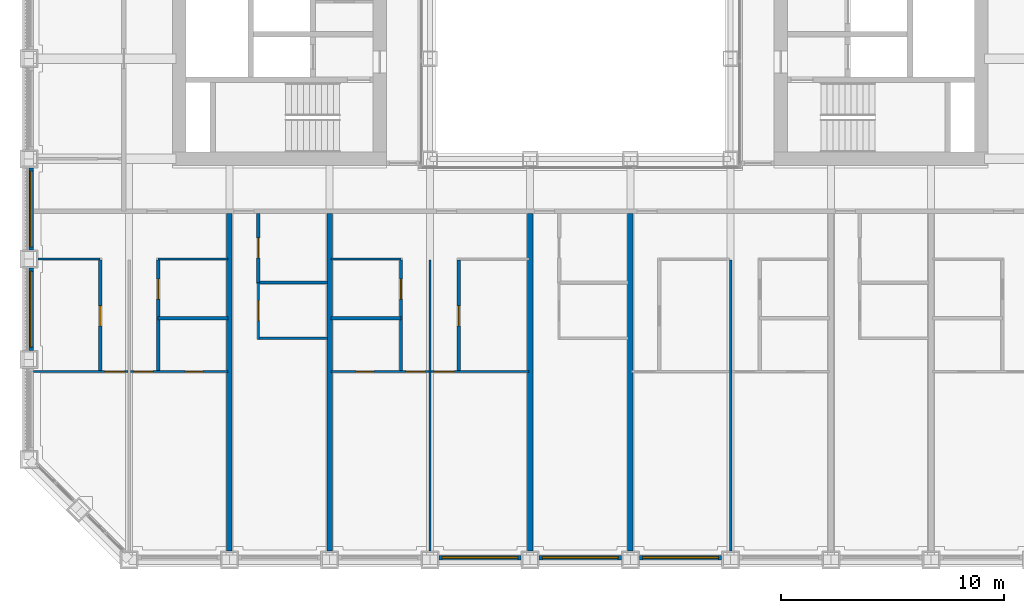
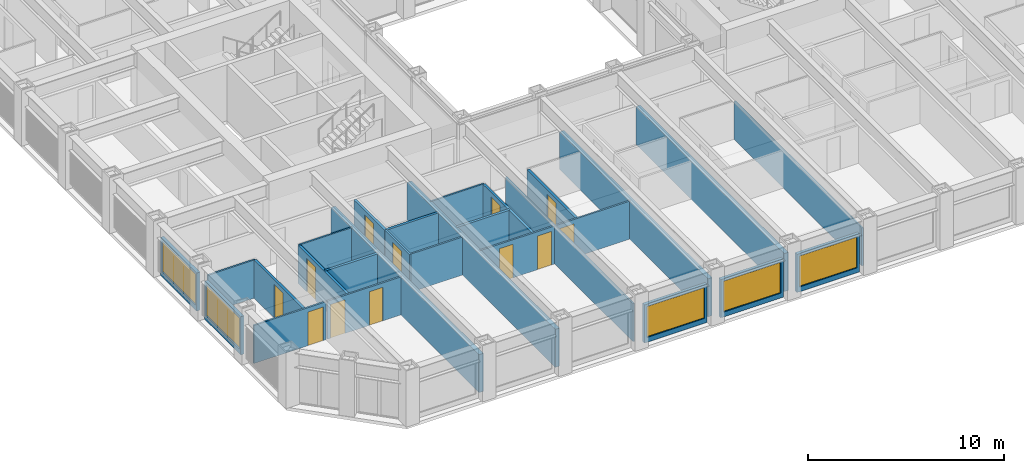
# One storey, part 9 of 21: 28 walls, 12 doors, 5 windows, 17 openings.
"""IFC4 building model written with IfcOpenShell, lengths in metres."""

from ifc_helpers import new_model, si_unit, direction, frame, frame_2d, origin, place, context, subcontext, project, spatial, rectangle, extrude, material, layer, layer_set, type_object, element, fill, save


model = new_model("IFC4")

# Units and contexts
model_context = context("Model", 3, precision=1e-05, world=origin(), true_north=direction((0.0, 1.0)))
body_context = subcontext(model_context, "Body", "Model", "MODEL_VIEW")
ifc_project = project(units=[si_unit("LENGTHUNIT", "METRE"), si_unit("AREAUNIT", "SQUARE_METRE"), si_unit("VOLUMEUNIT", "CUBIC_METRE"), si_unit("PLANEANGLEUNIT", "RADIAN"), si_unit("MASSUNIT", "GRAM", prefix="KILO")], contexts=[model_context])

# Site, building, storey
site_placement = place(None, origin())
site = spatial("IfcSite", under=ifc_project, at=site_placement, CompositionType="ELEMENT")
building_placement = place(site_placement, origin())
building = spatial("IfcBuilding", under=site, at=building_placement, Name="Msasa Ring Tower", CompositionType="ELEMENT")
storey_placement = place(building_placement, frame((0.0, 0.0, 44.0)))
storey = spatial("IfcBuildingStorey", under=building, at=storey_placement, Name="L10", CompositionType="ELEMENT", Elevation=44.0)

# Wall, opening, window
ifc_material_1 = material(Name="Terracotta rainscreen on blockwork", Category="masonry")
ifc_layer_1 = layer(ifc_material_1, 0.199951171875)
ifc_layer_set_1 = layer_set([ifc_layer_1], Name="FW1 TERRACOTTA-LINED INFILL BAY WALL 200")
wall_type_1 = type_object("IfcWallType", Name="FW1 TERRACOTTA-LINED INFILL BAY WALL 200", PredefinedType="SOLIDWALL", material=ifc_layer_set_1)
wall_1_placement = place(storey_placement, frame((-6.344970703125, -24.64990234375, 0.0), z_axis=(0.0, 0.0, 1.0), x_axis=(1.0, 0.0, 0.0)))
wall_1 = element("IfcWall", 1, at=wall_1_placement, inside=storey, type_object=wall_type_1, Name="Infill bay wall S L10 03", PredefinedType="SOLIDWALL", context=body_context, shape_type="SweptSolid", body=[
    extrude(rectangle(XDim=3.68994140625, YDim=0.199951171875, at=frame_2d((1.844970703125, 0.0))), origin(), (0.0, 0.0, 1.0), 2.37890625),
])
opening_1_placement = place(wall_1_placement, frame((0.14501953125, 0.0, 0.300048828125)))
opening_1 = element("IfcOpeningElement", 2, at=opening_1_placement, cuts=wall_1, Name="Opening WN1", PredefinedType="OPENING", context=body_context, shape_type="SweptSolid", body=[
    extrude(rectangle(XDim=3.39990234375, YDim=1.928955078125, at=frame_2d((1.699951171875, 0.96435546875))), frame((0.0, 0.10986328125, 0.0), z_axis=(0.0, -1.0, 0.0), x_axis=(1.0, 0.0, 0.0)), (0.0, 0.0, 1.0), 0.219970703125),
])
ifc_material_2 = material(Name="Aluminium frame with clear glass", Category="aluminium")
window_type = type_object("IfcWindowType", Name="WN1 RESIDENCE WINDOW 3400x1929", PartitioningType="SINGLE_PANEL", PredefinedType="WINDOW", material=ifc_material_2)
window_1_placement = place(opening_1_placement, origin())
window_1 = element("IfcWindow", 3, at=window_1_placement, inside=storey, type_object=window_type, Name="Window S L10 03", OverallHeight=1.928955078125, OverallWidth=3.39990234375, PartitioningType="SINGLE_PANEL", PredefinedType="WINDOW", context=body_context, shape_type="SweptSolid", body=[
    extrude(rectangle(XDim=3.39990234375, YDim=1.928955078125, at=frame_2d((1.699951171875, 0.96435546875))), frame((0.0, 0.030029296875, 0.0), z_axis=(0.0, -1.0, 0.0), x_axis=(1.0, 0.0, 0.0)), (0.0, 0.0, 1.0), 0.06005859375),
])
fill(opening_1, window_1)

wall_2_placement = place(storey_placement, frame((-1.844970703125, -24.64990234375, 0.0), z_axis=(0.0, 0.0, 1.0), x_axis=(1.0, 0.0, 0.0)))
wall_2 = element("IfcWall", 4, at=wall_2_placement, inside=storey, type_object=wall_type_1, Name="Infill bay wall S L10 04", PredefinedType="SOLIDWALL", context=body_context, shape_type="SweptSolid", body=[
    extrude(rectangle(XDim=3.68994140625, YDim=0.199951171875, at=frame_2d((1.844970703125, 0.0))), origin(), (0.0, 0.0, 1.0), 2.37890625),
])
opening_2_placement = place(wall_2_placement, frame((0.14501953125, 0.0, 0.300048828125)))
opening_2 = element("IfcOpeningElement", 5, at=opening_2_placement, cuts=wall_2, Name="Opening WN1", PredefinedType="OPENING", context=body_context, shape_type="SweptSolid", body=[
    extrude(rectangle(XDim=3.39990234375, YDim=1.928955078125, at=frame_2d((1.699951171875, 0.96435546875))), frame((0.0, 0.10986328125, 0.0), z_axis=(0.0, -1.0, 0.0), x_axis=(1.0, 0.0, 0.0)), (0.0, 0.0, 1.0), 0.219970703125),
])
window_2_placement = place(opening_2_placement, origin())
window_2 = element("IfcWindow", 6, at=window_2_placement, inside=storey, type_object=window_type, Name="Window S L10 04", OverallHeight=1.928955078125, OverallWidth=3.39990234375, PartitioningType="SINGLE_PANEL", PredefinedType="WINDOW", context=body_context, shape_type="SweptSolid", body=[
    extrude(rectangle(XDim=3.39990234375, YDim=1.928955078125, at=frame_2d((1.699951171875, 0.96435546875))), frame((0.0, 0.030029296875, 0.0), z_axis=(0.0, -1.0, 0.0), x_axis=(1.0, 0.0, 0.0)), (0.0, 0.0, 1.0), 0.06005859375),
])
fill(opening_2, window_2)

wall_3_placement = place(storey_placement, frame((2.655029296875, -24.64990234375, 0.0), z_axis=(0.0, 0.0, 1.0), x_axis=(1.0, 0.0, 0.0)))
wall_3 = element("IfcWall", 7, at=wall_3_placement, inside=storey, type_object=wall_type_1, Name="Infill bay wall S L10 05", PredefinedType="SOLIDWALL", context=body_context, shape_type="SweptSolid", body=[
    extrude(rectangle(XDim=3.68994140625, YDim=0.199951171875, at=frame_2d((1.844970703125, 0.0))), origin(), (0.0, 0.0, 1.0), 2.37890625),
])
opening_3_placement = place(wall_3_placement, frame((0.14501953125, 0.0, 0.300048828125)))
opening_3 = element("IfcOpeningElement", 8, at=opening_3_placement, cuts=wall_3, Name="Opening WN1", PredefinedType="OPENING", context=body_context, shape_type="SweptSolid", body=[
    extrude(rectangle(XDim=3.39990234375, YDim=1.928955078125, at=frame_2d((1.699951171875, 0.96435546875))), frame((0.0, 0.10986328125, 0.0), z_axis=(0.0, -1.0, 0.0), x_axis=(1.0, 0.0, 0.0)), (0.0, 0.0, 1.0), 0.219970703125),
])
window_3_placement = place(opening_3_placement, origin())
window_3 = element("IfcWindow", 9, at=window_3_placement, inside=storey, type_object=window_type, Name="Window S L10 05", OverallHeight=1.928955078125, OverallWidth=3.39990234375, PartitioningType="SINGLE_PANEL", PredefinedType="WINDOW", context=body_context, shape_type="SweptSolid", body=[
    extrude(rectangle(XDim=3.39990234375, YDim=1.928955078125, at=frame_2d((1.699951171875, 0.96435546875))), frame((0.0, 0.030029296875, 0.0), z_axis=(0.0, -1.0, 0.0), x_axis=(1.0, 0.0, 0.0)), (0.0, 0.0, 1.0), 0.06005859375),
])
fill(opening_3, window_3)

wall_4_placement = place(storey_placement, frame((-24.64990234375, -15.344970703125, 0.0), z_axis=(0.0, 0.0, 1.0), x_axis=(0.0, 1.0, 0.0)))
wall_4 = element("IfcWall", 10, at=wall_4_placement, inside=storey, type_object=wall_type_1, Name="Infill bay wall W L10 34", PredefinedType="SOLIDWALL", context=body_context, shape_type="SweptSolid", body=[
    extrude(rectangle(XDim=3.68994140625, YDim=0.199951171875, at=frame_2d((1.844970703125, 0.0))), origin(), (0.0, 0.0, 1.0), 2.37890625),
])
opening_4_placement = place(wall_4_placement, frame((0.14501953125, 0.0, 0.300048828125)))
opening_4 = element("IfcOpeningElement", 11, at=opening_4_placement, cuts=wall_4, Name="Opening WN1", PredefinedType="OPENING", context=body_context, shape_type="SweptSolid", body=[
    extrude(rectangle(XDim=3.39990234375, YDim=1.928955078125, at=frame_2d((1.699951171875, 0.96435546875))), frame((0.0, 0.10986328125, 0.0), z_axis=(0.0, -1.0, 0.0), x_axis=(1.0, 0.0, 0.0)), (0.0, 0.0, 1.0), 0.219970703125),
])
window_4_placement = place(opening_4_placement, origin())
window_4 = element("IfcWindow", 12, at=window_4_placement, inside=storey, type_object=window_type, Name="Window W L10 34", OverallHeight=1.928955078125, OverallWidth=3.39990234375, PartitioningType="SINGLE_PANEL", PredefinedType="WINDOW", context=body_context, shape_type="SweptSolid", body=[
    extrude(rectangle(XDim=3.39990234375, YDim=1.928955078125, at=frame_2d((1.699951171875, 0.96435546875))), frame((0.0, 0.030029296875, 0.0), z_axis=(0.0, -1.0, 0.0), x_axis=(1.0, 0.0, 0.0)), (0.0, 0.0, 1.0), 0.06005859375),
])
fill(opening_4, window_4)

wall_5_placement = place(storey_placement, frame((-24.64990234375, -10.844970703125, 0.0), z_axis=(0.0, 0.0, 1.0), x_axis=(0.0, 1.0, 0.0)))
wall_5 = element("IfcWall", 13, at=wall_5_placement, inside=storey, type_object=wall_type_1, Name="Infill bay wall W L10 35", PredefinedType="SOLIDWALL", context=body_context, shape_type="SweptSolid", body=[
    extrude(rectangle(XDim=3.68994140625, YDim=0.199951171875, at=frame_2d((1.844970703125, 0.0))), origin(), (0.0, 0.0, 1.0), 2.37890625),
])
opening_5_placement = place(wall_5_placement, frame((0.14501953125, 0.0, 0.300048828125)))
opening_5 = element("IfcOpeningElement", 14, at=opening_5_placement, cuts=wall_5, Name="Opening WN1", PredefinedType="OPENING", context=body_context, shape_type="SweptSolid", body=[
    extrude(rectangle(XDim=3.39990234375, YDim=1.928955078125, at=frame_2d((1.699951171875, 0.96435546875))), frame((0.0, 0.10986328125, 0.0), z_axis=(0.0, -1.0, 0.0), x_axis=(1.0, 0.0, 0.0)), (0.0, 0.0, 1.0), 0.219970703125),
])
window_5_placement = place(opening_5_placement, origin())
window_5 = element("IfcWindow", 15, at=window_5_placement, inside=storey, type_object=window_type, Name="Window W L10 35", OverallHeight=1.928955078125, OverallWidth=3.39990234375, PartitioningType="SINGLE_PANEL", PredefinedType="WINDOW", context=body_context, shape_type="SweptSolid", body=[
    extrude(rectangle(XDim=3.39990234375, YDim=1.928955078125, at=frame_2d((1.699951171875, 0.96435546875))), frame((0.0, 0.030029296875, 0.0), z_axis=(0.0, -1.0, 0.0), x_axis=(1.0, 0.0, 0.0)), (0.0, 0.0, 1.0), 0.06005859375),
])
fill(opening_5, window_5)

# Wall
ifc_material_3 = material(Name="Gypsum board on steel studs", Category="steel")
ifc_layer_2 = layer(ifc_material_3, 0.10009765625)
ifc_layer_set_2 = layer_set([ifc_layer_2], Name="PT2 STUD PARTITION 100")
wall_type_2 = type_object("IfcWallType", Name="PT2 STUD PARTITION 100", PredefinedType="PARTITIONING", material=ifc_layer_set_2)
wall_6_placement = place(storey_placement, frame((-24.35009765625, -11.25, 0.0), z_axis=(0.0, 0.0, 1.0), x_axis=(1.0, 0.0, 0.0)))
element("IfcWall", 16, at=wall_6_placement, inside=storey, type_object=wall_type_2, Name="Partition L10-US00HY0", PredefinedType="PARTITIONING", context=body_context, shape_type="SweptSolid", body=[
    extrude(rectangle(XDim=2.800048828125, YDim=0.10009765625, at=frame_2d((1.39990234375, 0.0))), origin(), (0.0, 0.0, 1.0), 2.373291015625),
])

# Wall, opening, door
wall_7_placement = place(storey_placement, frame((-24.550048828125, -16.300048828125, 0.0), z_axis=(0.0, 0.0, 1.0), x_axis=(1.0, 0.0, 0.0)))
wall_7 = element("IfcWall", 17, at=wall_7_placement, inside=storey, type_object=wall_type_2, Name="Partition L10-US00SY0", PredefinedType="PARTITIONING", context=body_context, shape_type="SweptSolid", body=[
    extrude(rectangle(XDim=4.25, YDim=0.10009765625, at=frame_2d((2.125, 0.0))), origin(), (0.0, 0.0, 1.0), 2.373291015625),
])
opening_6_placement = place(wall_7_placement, frame((3.199951171875, 0.0, 0.0)))
opening_6 = element("IfcOpeningElement", 18, at=opening_6_placement, cuts=wall_7, Name="Opening RB-074", PredefinedType="OPENING", context=body_context, shape_type="SweptSolid", body=[
    extrude(rectangle(XDim=0.89990234375, YDim=2.10009765625, at=frame_2d((0.449951171875, 1.050048828125))), frame((0.0, 0.06005859375, 0.0), z_axis=(0.0, -1.0, 0.0), x_axis=(1.0, 0.0, 0.0)), (0.0, 0.0, 1.0), 0.1201171875),
])
ifc_material_4 = material(Name="Timber door leaf in a steel frame", Category="steel")
door_type_1 = type_object("IfcDoorType", Name="D22 INTERNAL HALL DOOR 900x2100", OperationType="SINGLE_SWING_LEFT", PredefinedType="DOOR", material=ifc_material_4)
door_1_placement = place(opening_6_placement, origin())
door_1 = element("IfcDoor", 19, at=door_1_placement, inside=storey, type_object=door_type_1, Name="Door L10-US00L", OperationType="SINGLE_SWING_RIGHT", OverallHeight=2.10009765625, OverallWidth=0.89990234375, PredefinedType="DOOR", context=body_context, shape_type="SweptSolid", body=[
    extrude(rectangle(XDim=0.89990234375, YDim=2.10009765625, at=frame_2d((0.449951171875, 1.050048828125))), frame((0.0, 0.02490234375, 0.0), z_axis=(0.0, -1.0, 0.0), x_axis=(1.0, 0.0, 0.0)), (0.0, 0.0, 1.0), 0.050048828125),
])
fill(opening_6, door_1)

# Wall
wall_8_placement = place(storey_placement, frame((-18.949951171875, -11.25, 0.0), z_axis=(0.0, 0.0, 1.0), x_axis=(1.0, 0.0, 0.0)))
element("IfcWall", 20, at=wall_8_placement, inside=storey, type_object=wall_type_2, Name="Partition L10-US00HY1", PredefinedType="PARTITIONING", context=body_context, shape_type="SweptSolid", body=[
    extrude(rectangle(XDim=3.139892578125, YDim=0.10009765625, at=frame_2d((1.56982421875, 0.0))), origin(), (0.0, 0.0, 1.0), 2.373291015625),
])

# Wall, openings, doors
wall_9_placement = place(storey_placement, frame((-20.199951171875, -16.300048828125, 0.0), z_axis=(0.0, 0.0, 1.0), x_axis=(1.0, 0.0, 0.0)))
wall_9 = element("IfcWall", 21, at=wall_9_placement, inside=storey, type_object=wall_type_2, Name="Partition L10-US00SY1", PredefinedType="PARTITIONING", context=body_context, shape_type="SweptSolid", body=[
    extrude(rectangle(XDim=4.389892578125, YDim=0.10009765625, at=frame_2d((2.19482421875, 0.0))), origin(), (0.0, 0.0, 1.0), 2.373291015625),
])
opening_7_placement = place(wall_9_placement, frame((0.175048828125, 0.0, 0.0)))
opening_7 = element("IfcOpeningElement", 22, at=opening_7_placement, cuts=wall_9, Name="Opening RB-075", PredefinedType="OPENING", context=body_context, shape_type="SweptSolid", body=[
    extrude(rectangle(XDim=0.85009765625, YDim=2.10009765625, at=frame_2d((0.425048828125, 1.050048828125))), frame((0.0, 0.06005859375, 0.0), z_axis=(0.0, -1.0, 0.0), x_axis=(1.0, 0.0, 0.0)), (0.0, 0.0, 1.0), 0.1201171875),
])
opening_8_placement = place(wall_9_placement, frame((2.4599609375, 0.0, 0.0)))
opening_8 = element("IfcOpeningElement", 23, at=opening_8_placement, cuts=wall_9, Name="Opening RB-076", PredefinedType="OPENING", context=body_context, shape_type="SweptSolid", body=[
    extrude(rectangle(XDim=0.800048828125, YDim=2.10009765625, at=frame_2d((0.39990234375, 1.050048828125))), frame((0.0, 0.06005859375, 0.0), z_axis=(0.0, -1.0, 0.0), x_axis=(1.0, 0.0, 0.0)), (0.0, 0.0, 1.0), 0.1201171875),
])
ifc_material_5 = material(Name="Timber door leaf in a steel frame", Category="steel")
door_type_2 = type_object("IfcDoorType", Name="D14 BEDROOM DOOR 850x2100", OperationType="SINGLE_SWING_LEFT", PredefinedType="DOOR", material=ifc_material_5)
door_2_placement = place(opening_7_placement, origin())
door_2 = element("IfcDoor", 24, at=door_2_placement, inside=storey, type_object=door_type_2, Name="Door L10-US00R1", OperationType="SINGLE_SWING_LEFT", OverallHeight=2.10009765625, OverallWidth=0.85009765625, PredefinedType="DOOR", context=body_context, shape_type="SweptSolid", body=[
    extrude(rectangle(XDim=0.85009765625, YDim=2.10009765625, at=frame_2d((0.425048828125, 1.050048828125))), frame((0.0, 0.02490234375, 0.0), z_axis=(0.0, -1.0, 0.0), x_axis=(1.0, 0.0, 0.0)), (0.0, 0.0, 1.0), 0.050048828125),
])
fill(opening_7, door_2)
ifc_material_6 = material(Name="Timber door leaf in a steel frame", Category="steel")
door_type_3 = type_object("IfcDoorType", Name="D60 DRESSING ROOM DOOR 800x2100", OperationType="SINGLE_SWING_LEFT", PredefinedType="DOOR", material=ifc_material_6)
door_3_placement = place(opening_8_placement, origin())
door_3 = element("IfcDoor", 25, at=door_3_placement, inside=storey, type_object=door_type_3, Name="Door L10-US00W1", OperationType="SINGLE_SWING_RIGHT", OverallHeight=2.10009765625, OverallWidth=0.800048828125, PredefinedType="DOOR", context=body_context, shape_type="SweptSolid", body=[
    extrude(rectangle(XDim=0.800048828125, YDim=2.10009765625, at=frame_2d((0.39990234375, 1.050048828125))), frame((0.0, 0.02490234375, 0.0), z_axis=(0.0, -1.0, 0.0), x_axis=(1.0, 0.0, 0.0)), (0.0, 0.0, 1.0), 0.050048828125),
])
fill(opening_8, door_3)

# Wall
wall_10_placement = place(storey_placement, frame((-14.39990234375, -14.800048828125, 0.0), z_axis=(0.0, 0.0, 1.0), x_axis=(1.0, 0.0, 0.0)))
element("IfcWall", 26, at=wall_10_placement, inside=storey, type_object=wall_type_2, Name="Partition L10-US01KY", PredefinedType="PARTITIONING", context=body_context, shape_type="SweptSolid", body=[
    extrude(rectangle(XDim=3.0498046875, YDim=0.10009765625, at=frame_2d((1.52490234375, 0.0))), origin(), (0.0, 0.0, 1.0), 2.373291015625),
])

# Wall, opening, door
wall_11_placement = place(storey_placement, frame((-14.449951171875, -14.85009765625, 0.0), z_axis=(0.0, 0.0, 1.0), x_axis=(0.0, 1.0, 0.0)))
wall_11 = element("IfcWall", 27, at=wall_11_placement, inside=storey, type_object=wall_type_2, Name="Partition L10-US01KX", PredefinedType="PARTITIONING", context=body_context, shape_type="SweptSolid", body=[
    extrude(rectangle(XDim=2.550048828125, YDim=0.10009765625, at=frame_2d((1.27490234375, 0.0))), origin(), (0.0, 0.0, 1.0), 2.373291015625),
])
opening_9_placement = place(wall_11_placement, frame((0.840087890625, 0.0, 0.0)))
opening_9 = element("IfcOpeningElement", 28, at=opening_9_placement, cuts=wall_11, Name="Opening RB-067", PredefinedType="OPENING", context=body_context, shape_type="SweptSolid", body=[
    extrude(rectangle(XDim=0.89990234375, YDim=2.10009765625, at=frame_2d((0.449951171875, 1.050048828125))), frame((0.0, 0.06005859375, 0.0), z_axis=(0.0, -1.0, 0.0), x_axis=(1.0, 0.0, 0.0)), (0.0, 0.0, 1.0), 0.1201171875),
])
door_4_placement = place(opening_9_placement, origin())
door_4 = element("IfcDoor", 29, at=door_4_placement, inside=storey, type_object=door_type_1, Name="Door L10-US01K", OperationType="SINGLE_SWING_LEFT", OverallHeight=2.10009765625, OverallWidth=0.89990234375, PredefinedType="DOOR", context=body_context, shape_type="SweptSolid", body=[
    extrude(rectangle(XDim=0.89990234375, YDim=2.10009765625, at=frame_2d((0.449951171875, 1.050048828125))), frame((0.0, 0.02490234375, 0.0), z_axis=(0.0, -1.0, 0.0), x_axis=(1.0, 0.0, 0.0)), (0.0, 0.0, 1.0), 0.050048828125),
])
fill(opening_9, door_4)

wall_12_placement = place(storey_placement, frame((-6.699951171875, -16.300048828125, 0.0), z_axis=(0.0, 0.0, 1.0), x_axis=(1.0, 0.0, 0.0)))
wall_12 = element("IfcWall", 30, at=wall_12_placement, inside=storey, type_object=wall_type_2, Name="Partition L10-US02SY0", PredefinedType="PARTITIONING", context=body_context, shape_type="SweptSolid", body=[
    extrude(rectangle(XDim=4.389892578125, YDim=0.10009765625, at=frame_2d((2.19482421875, 0.0))), origin(), (0.0, 0.0, 1.0), 2.373291015625),
])
opening_10_placement = place(wall_12_placement, frame((0.14990234375, 0.0, 0.0)))
opening_10 = element("IfcOpeningElement", 31, at=opening_10_placement, cuts=wall_12, Name="Opening RB-079", PredefinedType="OPENING", context=body_context, shape_type="SweptSolid", body=[
    extrude(rectangle(XDim=0.89990234375, YDim=2.10009765625, at=frame_2d((0.449951171875, 1.050048828125))), frame((0.0, 0.06005859375, 0.0), z_axis=(0.0, -1.0, 0.0), x_axis=(1.0, 0.0, 0.0)), (0.0, 0.0, 1.0), 0.1201171875),
])
door_5_placement = place(opening_10_placement, origin())
door_5 = element("IfcDoor", 32, at=door_5_placement, inside=storey, type_object=door_type_1, Name="Door L10-US02L", OperationType="SINGLE_SWING_LEFT", OverallHeight=2.10009765625, OverallWidth=0.89990234375, PredefinedType="DOOR", context=body_context, shape_type="SweptSolid", body=[
    extrude(rectangle(XDim=0.89990234375, YDim=2.10009765625, at=frame_2d((0.449951171875, 1.050048828125))), frame((0.0, 0.02490234375, 0.0), z_axis=(0.0, -1.0, 0.0), x_axis=(1.0, 0.0, 0.0)), (0.0, 0.0, 1.0), 0.050048828125),
])
fill(opening_10, door_5)

# Walls
wall_13_placement = place(storey_placement, frame((-6.75, -24.35009765625, 0.0), z_axis=(0.0, 0.0, 1.0), x_axis=(0.0, 1.0, 0.0)))
element("IfcWall", 33, at=wall_13_placement, inside=storey, type_object=wall_type_2, Name="Partition L10-US02P1", PredefinedType="PARTITIONING", context=body_context, shape_type="SweptSolid", body=[
    extrude(rectangle(XDim=13.050048828125, YDim=0.10009765625, at=frame_2d((6.52490234375, 0.0))), origin(), (0.0, 0.0, 1.0), 2.373291015625),
])
wall_14_placement = place(storey_placement, frame((-11.18994140625, -11.25, 0.0), z_axis=(0.0, 0.0, 1.0), x_axis=(1.0, 0.0, 0.0)))
element("IfcWall", 34, at=wall_14_placement, inside=storey, type_object=wall_type_2, Name="Partition L10-US02HY1", PredefinedType="PARTITIONING", context=body_context, shape_type="SweptSolid", body=[
    extrude(rectangle(XDim=3.139892578125, YDim=0.10009765625, at=frame_2d((1.56982421875, 0.0))), origin(), (0.0, 0.0, 1.0), 2.373291015625),
])

# Wall, openings, doors
wall_15_placement = place(storey_placement, frame((-11.18994140625, -16.300048828125, 0.0), z_axis=(0.0, 0.0, 1.0), x_axis=(1.0, 0.0, 0.0)))
wall_15 = element("IfcWall", 35, at=wall_15_placement, inside=storey, type_object=wall_type_2, Name="Partition L10-US02SY1", PredefinedType="PARTITIONING", context=body_context, shape_type="SweptSolid", body=[
    extrude(rectangle(XDim=4.389892578125, YDim=0.10009765625, at=frame_2d((2.19482421875, 0.0))), origin(), (0.0, 0.0, 1.0), 2.373291015625),
])
opening_11_placement = place(wall_15_placement, frame((3.364990234375, 0.0, 0.0)))
opening_11 = element("IfcOpeningElement", 36, at=opening_11_placement, cuts=wall_15, Name="Opening RB-078", PredefinedType="OPENING", context=body_context, shape_type="SweptSolid", body=[
    extrude(rectangle(XDim=0.85009765625, YDim=2.10009765625, at=frame_2d((0.425048828125, 1.050048828125))), frame((0.0, 0.06005859375, 0.0), z_axis=(0.0, -1.0, 0.0), x_axis=(1.0, 0.0, 0.0)), (0.0, 0.0, 1.0), 0.1201171875),
])
opening_12_placement = place(wall_15_placement, frame((1.1298828125, 0.0, 0.0)))
opening_12 = element("IfcOpeningElement", 37, at=opening_12_placement, cuts=wall_15, Name="Opening RB-077", PredefinedType="OPENING", context=body_context, shape_type="SweptSolid", body=[
    extrude(rectangle(XDim=0.800048828125, YDim=2.10009765625, at=frame_2d((0.39990234375, 1.050048828125))), frame((0.0, 0.06005859375, 0.0), z_axis=(0.0, -1.0, 0.0), x_axis=(1.0, 0.0, 0.0)), (0.0, 0.0, 1.0), 0.1201171875),
])
door_6_placement = place(opening_11_placement, origin())
door_6 = element("IfcDoor", 38, at=door_6_placement, inside=storey, type_object=door_type_2, Name="Door L10-US02R1", OperationType="SINGLE_SWING_RIGHT", OverallHeight=2.10009765625, OverallWidth=0.85009765625, PredefinedType="DOOR", context=body_context, shape_type="SweptSolid", body=[
    extrude(rectangle(XDim=0.85009765625, YDim=2.10009765625, at=frame_2d((0.425048828125, 1.050048828125))), frame((0.0, 0.02490234375, 0.0), z_axis=(0.0, -1.0, 0.0), x_axis=(1.0, 0.0, 0.0)), (0.0, 0.0, 1.0), 0.050048828125),
])
fill(opening_11, door_6)
door_7_placement = place(opening_12_placement, origin())
door_7 = element("IfcDoor", 39, at=door_7_placement, inside=storey, type_object=door_type_3, Name="Door L10-US02W1", OperationType="SINGLE_SWING_LEFT", OverallHeight=2.10009765625, OverallWidth=0.800048828125, PredefinedType="DOOR", context=body_context, shape_type="SweptSolid", body=[
    extrude(rectangle(XDim=0.800048828125, YDim=2.10009765625, at=frame_2d((0.39990234375, 1.050048828125))), frame((0.0, 0.02490234375, 0.0), z_axis=(0.0, -1.0, 0.0), x_axis=(1.0, 0.0, 0.0)), (0.0, 0.0, 1.0), 0.050048828125),
])
fill(opening_12, door_7)

# Walls
wall_16_placement = place(storey_placement, frame((6.75, -24.35009765625, 0.0), z_axis=(0.0, 0.0, 1.0), x_axis=(0.0, 1.0, 0.0)))
element("IfcWall", 40, at=wall_16_placement, inside=storey, type_object=wall_type_2, Name="Partition L10-US04P1", PredefinedType="PARTITIONING", context=body_context, shape_type="SweptSolid", body=[
    extrude(rectangle(XDim=13.050048828125, YDim=0.10009765625, at=frame_2d((6.52490234375, 0.0))), origin(), (0.0, 0.0, 1.0), 2.373291015625),
])
ifc_material_7 = material(Name="Dense concrete blockwork, plastered both faces", Category="masonry")
ifc_layer_3 = layer(ifc_material_7, 0.25)
ifc_layer_set_3 = layer_set([ifc_layer_3], Name="PT3 APARTMENT SEPARATING WALL 250")
wall_type_3 = type_object("IfcWallType", Name="PT3 APARTMENT SEPARATING WALL 250", PredefinedType="PARTITIONING", material=ifc_layer_set_3)
for number, where, z_axis, x_axis, name in (
    (41, (-15.75, -24.35009765625, 0.0), (0.0, 0.0, 1.0), (0.0, 1.0, 0.0), "Party wall L10-PWS-15.75"),
    (42, (-11.25, -24.35009765625, 0.0), (0.0, 0.0, 1.0), (0.0, 1.0, 0.0), "Party wall L10-PWS-11.25"),
    (43, (-2.25, -24.35009765625, 0.0), (0.0, 0.0, 1.0), (0.0, 1.0, 0.0), "Party wall L10-PWS-2.25"),
    (44, (2.25, -24.35009765625, 0.0), (0.0, 0.0, 1.0), (0.0, 1.0, 0.0), "Party wall L10-PWS+2.25"),
):
    element("IfcWall", number, at=place(storey_placement, frame(where, z_axis=z_axis, x_axis=x_axis)), inside=storey, type_object=wall_type_3, Name=name, PredefinedType="PARTITIONING", context=body_context, shape_type="SweptSolid", body=[
        extrude(rectangle(XDim=15.150146484375, YDim=0.25, at=frame_2d((7.5751953125, 0.0))), origin(), (0.0, 0.0, 1.0), 2.373291015625),
    ])

# Wall, opening, door
ifc_material_8 = material(Name="Moisture-resistant board on steel studs with a concealed cistern and pipe void, tiled", Category="steel")
ifc_layer_4 = layer(ifc_material_8, 0.14990234375)
ifc_layer_set_4 = layer_set([ifc_layer_4], Name="PT4 BATHROOM WET WALL 150")
wall_type_4 = type_object("IfcWallType", Name="PT4 BATHROOM WET WALL 150", PredefinedType="PARTITIONING", material=ifc_layer_set_4)
wall_17_placement = place(storey_placement, frame((-21.550048828125, -16.300048828125, 0.0), z_axis=(0.0, 0.0, 1.0), x_axis=(0.0, 1.0, 0.0)))
wall_17 = element("IfcWall", 45, at=wall_17_placement, inside=storey, type_object=wall_type_4, Name="Partition L10-US00SX0", PredefinedType="PARTITIONING", context=body_context, shape_type="SweptSolid", body=[
    extrude(rectangle(XDim=5.0, YDim=0.14990234375, at=frame_2d((2.5, 0.0))), origin(), (0.0, 0.0, 1.0), 2.373291015625),
])
opening_13_placement = place(wall_17_placement, frame((2.050048828125, 0.0, 0.0)))
opening_13 = element("IfcOpeningElement", 46, at=opening_13_placement, cuts=wall_17, Name="Opening RB-070", PredefinedType="OPENING", context=body_context, shape_type="SweptSolid", body=[
    extrude(rectangle(XDim=0.89990234375, YDim=2.10009765625, at=frame_2d((0.449951171875, 1.050048828125))), frame((0.0, 0.0849609375, 0.0), z_axis=(0.0, -1.0, 0.0), x_axis=(1.0, 0.0, 0.0)), (0.0, 0.0, 1.0), 0.169921875),
])
door_8_placement = place(opening_13_placement, origin())
door_8 = element("IfcDoor", 47, at=door_8_placement, inside=storey, type_object=door_type_1, Name="Door L10-US00K", OperationType="SINGLE_SWING_LEFT", OverallHeight=2.10009765625, OverallWidth=0.89990234375, PredefinedType="DOOR", context=body_context, shape_type="SweptSolid", body=[
    extrude(rectangle(XDim=0.89990234375, YDim=2.10009765625, at=frame_2d((0.449951171875, 1.050048828125))), frame((0.0, 0.02490234375, 0.0), z_axis=(0.0, -1.0, 0.0), x_axis=(1.0, 0.0, 0.0)), (0.0, 0.0, 1.0), 0.050048828125),
])
fill(opening_13, door_8)

wall_18_placement = place(storey_placement, frame((-18.949951171875, -16.300048828125, 0.0), z_axis=(0.0, 0.0, 1.0), x_axis=(0.0, 1.0, 0.0)))
wall_18 = element("IfcWall", 48, at=wall_18_placement, inside=storey, type_object=wall_type_4, Name="Partition L10-US00SX1", PredefinedType="PARTITIONING", context=body_context, shape_type="SweptSolid", body=[
    extrude(rectangle(XDim=5.0, YDim=0.14990234375, at=frame_2d((2.5, 0.0))), origin(), (0.0, 0.0, 1.0), 2.373291015625),
])
opening_14_placement = place(wall_18_placement, frame((3.25, 0.0, 0.0)))
opening_14 = element("IfcOpeningElement", 49, at=opening_14_placement, cuts=wall_18, Name="Opening RB-063", PredefinedType="OPENING", context=body_context, shape_type="SweptSolid", body=[
    extrude(rectangle(XDim=0.89990234375, YDim=2.10009765625, at=frame_2d((0.449951171875, 1.050048828125))), frame((0.0, 0.0849609375, 0.0), z_axis=(0.0, -1.0, 0.0), x_axis=(1.0, 0.0, 0.0)), (0.0, 0.0, 1.0), 0.169921875),
])
ifc_material_9 = material(Name="Timber door leaf in a steel frame", Category="steel")
door_type_4 = type_object("IfcDoorType", Name="D3 BATHROOM DOOR 900x2100", OperationType="SINGLE_SWING_LEFT", PredefinedType="DOOR", material=ifc_material_9)
door_9_placement = place(opening_14_placement, origin())
door_9 = element("IfcDoor", 50, at=door_9_placement, inside=storey, type_object=door_type_4, Name="Door L10-US00B1", OperationType="SINGLE_SWING_RIGHT", OverallHeight=2.10009765625, OverallWidth=0.89990234375, PredefinedType="DOOR", context=body_context, shape_type="SweptSolid", body=[
    extrude(rectangle(XDim=0.89990234375, YDim=2.10009765625, at=frame_2d((0.449951171875, 1.050048828125))), frame((0.0, 0.02490234375, 0.0), z_axis=(0.0, -1.0, 0.0), x_axis=(1.0, 0.0, 0.0)), (0.0, 0.0, 1.0), 0.050048828125),
])
fill(opening_14, door_9)

# Wall
wall_19_placement = place(storey_placement, frame((-18.949951171875, -13.89990234375, 0.0), z_axis=(0.0, 0.0, 1.0), x_axis=(1.0, 0.0, 0.0)))
element("IfcWall", 51, at=wall_19_placement, inside=storey, type_object=wall_type_4, Name="Partition L10-US00SB1", PredefinedType="PARTITIONING", context=body_context, shape_type="SweptSolid", body=[
    extrude(rectangle(XDim=3.139892578125, YDim=0.14990234375, at=frame_2d((1.56982421875, 0.0))), origin(), (0.0, 0.0, 1.0), 2.373291015625),
])

# Wall, opening, door
wall_20_placement = place(storey_placement, frame((-14.449951171875, -12.35009765625, 0.0), z_axis=(0.0, 0.0, 1.0), x_axis=(0.0, 1.0, 0.0)))
wall_20 = element("IfcWall", 52, at=wall_20_placement, inside=storey, type_object=wall_type_4, Name="Partition L10-US01BX", PredefinedType="PARTITIONING", context=body_context, shape_type="SweptSolid", body=[
    extrude(rectangle(XDim=3.150146484375, YDim=0.14990234375, at=frame_2d((1.5751953125, 0.0))), origin(), (0.0, 0.0, 1.0), 2.373291015625),
])
opening_15_placement = place(wall_20_placement, frame((1.14990234375, 0.0, 0.0)))
opening_15 = element("IfcOpeningElement", 53, at=opening_15_placement, cuts=wall_20, Name="Opening RB-060", PredefinedType="OPENING", context=body_context, shape_type="SweptSolid", body=[
    extrude(rectangle(XDim=0.89990234375, YDim=2.10009765625, at=frame_2d((0.449951171875, 1.050048828125))), frame((0.0, 0.0849609375, 0.0), z_axis=(0.0, -1.0, 0.0), x_axis=(1.0, 0.0, 0.0)), (0.0, 0.0, 1.0), 0.169921875),
])
door_10_placement = place(opening_15_placement, origin())
door_10 = element("IfcDoor", 54, at=door_10_placement, inside=storey, type_object=door_type_4, Name="Door L10-US01B", OperationType="SINGLE_SWING_LEFT", OverallHeight=2.10009765625, OverallWidth=0.89990234375, PredefinedType="DOOR", context=body_context, shape_type="SweptSolid", body=[
    extrude(rectangle(XDim=0.89990234375, YDim=2.10009765625, at=frame_2d((0.449951171875, 1.050048828125))), frame((0.0, 0.02490234375, 0.0), z_axis=(0.0, -1.0, 0.0), x_axis=(1.0, 0.0, 0.0)), (0.0, 0.0, 1.0), 0.050048828125),
])
fill(opening_15, door_10)

# Wall
wall_21_placement = place(storey_placement, frame((-14.39990234375, -12.300048828125, 0.0), z_axis=(0.0, 0.0, 1.0), x_axis=(1.0, 0.0, 0.0)))
element("IfcWall", 55, at=wall_21_placement, inside=storey, type_object=wall_type_4, Name="Partition L10-US01BY", PredefinedType="PARTITIONING", context=body_context, shape_type="SweptSolid", body=[
    extrude(rectangle(XDim=3.0498046875, YDim=0.14990234375, at=frame_2d((1.52490234375, 0.0))), origin(), (0.0, 0.0, 1.0), 2.373291015625),
])

# Wall, opening, door
wall_22_placement = place(storey_placement, frame((-5.449951171875, -16.300048828125, 0.0), z_axis=(0.0, 0.0, 1.0), x_axis=(0.0, 1.0, 0.0)))
wall_22 = element("IfcWall", 56, at=wall_22_placement, inside=storey, type_object=wall_type_4, Name="Partition L10-US02SX0", PredefinedType="PARTITIONING", context=body_context, shape_type="SweptSolid", body=[
    extrude(rectangle(XDim=5.0, YDim=0.14990234375, at=frame_2d((2.5, 0.0))), origin(), (0.0, 0.0, 1.0), 2.373291015625),
])
opening_16_placement = place(wall_22_placement, frame((2.050048828125, 0.0, 0.0)))
opening_16 = element("IfcOpeningElement", 57, at=opening_16_placement, cuts=wall_22, Name="Opening RB-071", PredefinedType="OPENING", context=body_context, shape_type="SweptSolid", body=[
    extrude(rectangle(XDim=0.89990234375, YDim=2.10009765625, at=frame_2d((0.449951171875, 1.050048828125))), frame((0.0, 0.0849609375, 0.0), z_axis=(0.0, -1.0, 0.0), x_axis=(1.0, 0.0, 0.0)), (0.0, 0.0, 1.0), 0.169921875),
])
door_11_placement = place(opening_16_placement, origin())
door_11 = element("IfcDoor", 58, at=door_11_placement, inside=storey, type_object=door_type_1, Name="Door L10-US02K", OperationType="SINGLE_SWING_LEFT", OverallHeight=2.10009765625, OverallWidth=0.89990234375, PredefinedType="DOOR", context=body_context, shape_type="SweptSolid", body=[
    extrude(rectangle(XDim=0.89990234375, YDim=2.10009765625, at=frame_2d((0.449951171875, 1.050048828125))), frame((0.0, 0.02490234375, 0.0), z_axis=(0.0, -1.0, 0.0), x_axis=(1.0, 0.0, 0.0)), (0.0, 0.0, 1.0), 0.050048828125),
])
fill(opening_16, door_11)

wall_23_placement = place(storey_placement, frame((-8.050048828125, -16.300048828125, 0.0), z_axis=(0.0, 0.0, 1.0), x_axis=(0.0, 1.0, 0.0)))
wall_23 = element("IfcWall", 59, at=wall_23_placement, inside=storey, type_object=wall_type_4, Name="Partition L10-US02SX1", PredefinedType="PARTITIONING", context=body_context, shape_type="SweptSolid", body=[
    extrude(rectangle(XDim=5.0, YDim=0.14990234375, at=frame_2d((2.5, 0.0))), origin(), (0.0, 0.0, 1.0), 2.373291015625),
])
opening_17_placement = place(wall_23_placement, frame((3.25, 0.0, 0.0)))
opening_17 = element("IfcOpeningElement", 60, at=opening_17_placement, cuts=wall_23, Name="Opening RB-064", PredefinedType="OPENING", context=body_context, shape_type="SweptSolid", body=[
    extrude(rectangle(XDim=0.89990234375, YDim=2.10009765625, at=frame_2d((0.449951171875, 1.050048828125))), frame((0.0, 0.0849609375, 0.0), z_axis=(0.0, -1.0, 0.0), x_axis=(1.0, 0.0, 0.0)), (0.0, 0.0, 1.0), 0.169921875),
])
door_12_placement = place(opening_17_placement, origin())
door_12 = element("IfcDoor", 61, at=door_12_placement, inside=storey, type_object=door_type_4, Name="Door L10-US02B1", OperationType="SINGLE_SWING_RIGHT", OverallHeight=2.10009765625, OverallWidth=0.89990234375, PredefinedType="DOOR", context=body_context, shape_type="SweptSolid", body=[
    extrude(rectangle(XDim=0.89990234375, YDim=2.10009765625, at=frame_2d((0.449951171875, 1.050048828125))), frame((0.0, 0.02490234375, 0.0), z_axis=(0.0, -1.0, 0.0), x_axis=(1.0, 0.0, 0.0)), (0.0, 0.0, 1.0), 0.050048828125),
])
fill(opening_17, door_12)

# Wall
wall_24_placement = place(storey_placement, frame((-11.18994140625, -13.89990234375, 0.0), z_axis=(0.0, 0.0, 1.0), x_axis=(1.0, 0.0, 0.0)))
element("IfcWall", 62, at=wall_24_placement, inside=storey, type_object=wall_type_4, Name="Partition L10-US02SB1", PredefinedType="PARTITIONING", context=body_context, shape_type="SweptSolid", body=[
    extrude(rectangle(XDim=3.139892578125, YDim=0.14990234375, at=frame_2d((1.56982421875, 0.0))), origin(), (0.0, 0.0, 1.0), 2.373291015625),
])

save(model, "model.ifc")
